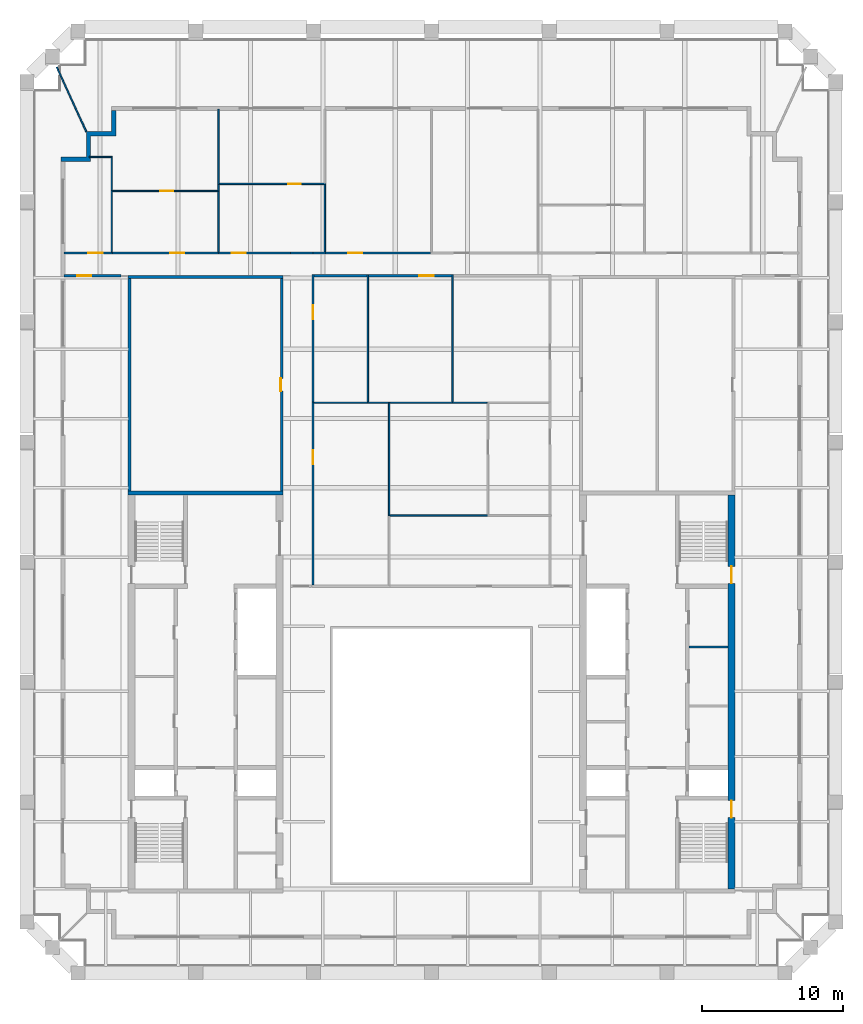
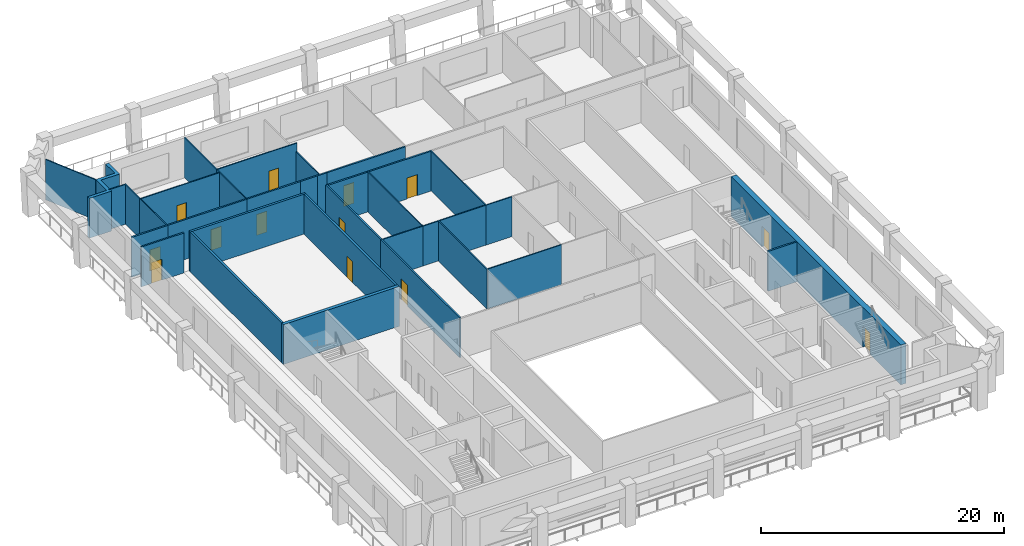
# One storey, part 5 of 8: 36 walls, 13 doors, 13 openings.
"""IFC4 building model written with IfcOpenShell, lengths in metres."""

from ifc_helpers import new_model, si_unit, direction, frame, frame_2d, origin, place, context, subcontext, project, spatial, polyline, rectangle, outline, extrude, material, layer, layer_set, type_object, element, fill, save


model = new_model("IFC4")

# Units and contexts
model_context = context("Model", 3, precision=1e-05, world=origin(), true_north=direction((0.0, 1.0)))
body_context = subcontext(model_context, "Body", "Model", "MODEL_VIEW")
ifc_project = project(units=[si_unit("LENGTHUNIT", "METRE"), si_unit("AREAUNIT", "SQUARE_METRE"), si_unit("VOLUMEUNIT", "CUBIC_METRE"), si_unit("PLANEANGLEUNIT", "RADIAN"), si_unit("MASSUNIT", "GRAM", prefix="KILO")], contexts=[model_context])

# Site, building, storey
site_placement = place(None, origin())
site = spatial("IfcSite", under=ifc_project, at=site_placement, CompositionType="ELEMENT")
building_placement = place(site_placement, origin())
building = spatial("IfcBuilding", under=site, at=building_placement, Name="Ogive Exchange Tower", CompositionType="ELEMENT")
storey_placement = place(building_placement, frame((0.0, 0.0, 334.199951171875)))
storey = spatial("IfcBuildingStorey", under=building, at=storey_placement, Name="L73", CompositionType="ELEMENT", Elevation=334.199951171875)

# Wall
ifc_material_1 = material(Name="Gypsum board partition")
ifc_layer_1 = layer(ifc_material_1, 0.14990234375)
ifc_layer_set_1 = layer_set([ifc_layer_1], Name="Core room partition 150 gypsum")
wall_type_1 = type_object("IfcWallType", Name="Core room partition 150 gypsum", PredefinedType="PARTITIONING", material=ifc_layer_set_1)
wall_1_placement = place(storey_placement, frame((18.25, 14.699951171875, 0.0), z_axis=(0.0, 0.0, 1.0), x_axis=(1.0, 0.0, 0.0)))
element("IfcWall", 1, at=wall_1_placement, inside=storey, type_object=wall_type_1, Name="E row A bay partition 1-2", PredefinedType="PARTITIONING", context=body_context, shape_type="SweptSolid", body=[
    extrude(rectangle(XDim=2.75, YDim=0.14990234375, at=frame_2d((1.375, 0.0))), origin(), (0.0, 0.0, 1.0), 4.0),
])

# Wall, opening, door
ifc_material_2 = material(Name="Fire partition EI 60 150")
ifc_layer_2 = layer(ifc_material_2, 0.14990234375)
ifc_layer_set_2 = layer_set([ifc_layer_2], Name="Fire partition EI 60 150")
wall_type_2 = type_object("IfcWallType", Name="Fire partition EI 60 150", PredefinedType="PARTITIONING", material=ifc_layer_set_2)
wall_2_placement = place(storey_placement, frame((-26.050048828125, 42.60009765625, 0.0), z_axis=(0.0, 0.0, 1.0), x_axis=(1.0, 0.0, 0.0)))
wall_2 = element("IfcWall", 2, at=wall_2_placement, inside=storey, type_object=wall_type_2, Name="L73-PWL-001", PredefinedType="PARTITIONING", context=body_context, shape_type="SweptSolid", body=[
    extrude(rectangle(XDim=3.449951171875, YDim=0.14990234375, at=frame_2d((1.72509765625, 0.0))), origin(), (0.0, 0.0, 1.0), 4.0),
])
opening_1_placement = place(wall_2_placement, frame((1.75, 0.0, 0.0)))
opening_1 = element("IfcOpeningElement", 3, at=opening_1_placement, cuts=wall_2, Name="Opening L73-I11", PredefinedType="OPENING", context=body_context, shape_type="SweptSolid", body=[
    extrude(rectangle(XDim=1.0, YDim=2.10009765625, at=frame_2d((0.5, 1.050048828125))), frame((0.0, 0.0849609375, 0.0), z_axis=(0.0, -1.0, 0.0), x_axis=(1.0, 0.0, 0.0)), (0.0, 0.0, 1.0), 0.169921875),
])
ifc_material_3 = material(Name="Fire door FD 30S 1000 x 2100")
door_type_1 = type_object("IfcDoorType", Name="Fire door FD 30S 1000 x 2100", OperationType="NOTDEFINED", PredefinedType="DOOR", material=ifc_material_3)
door_1_placement = place(opening_1_placement, origin())
door_1 = element("IfcDoor", 4, at=door_1_placement, inside=storey, type_object=door_type_1, Name="L73-IDR-011", ObjectType="DT3", OperationType="SINGLE_SWING_LEFT", OverallHeight=2.10009765625, OverallWidth=1.0, PredefinedType="DOOR", context=body_context, shape_type="SweptSolid", body=[
    extrude(rectangle(XDim=1.0, YDim=2.10009765625, at=frame_2d((0.5, 1.050048828125))), frame((0.0, 0.02490234375, 0.0), z_axis=(0.0, -1.0, 0.0), x_axis=(1.0, 0.0, 0.0)), (0.0, 0.0, 1.0), 0.050048828125),
])
fill(opening_1, door_1)

wall_3_placement = place(storey_placement, frame((-22.64990234375, 42.60009765625, 0.0), z_axis=(0.0, 0.0, 1.0), x_axis=(1.0, 0.0, 0.0)))
wall_3 = element("IfcWall", 5, at=wall_3_placement, inside=storey, type_object=wall_type_2, Name="L73-PWL-004", PredefinedType="PARTITIONING", context=body_context, shape_type="SweptSolid", body=[
    extrude(rectangle(XDim=7.599853515625, YDim=0.14990234375, at=frame_2d((3.7998046875, 0.0))), origin(), (0.0, 0.0, 1.0), 4.0),
])
opening_2_placement = place(wall_3_placement, frame((4.14990234375, 0.0, 0.0)))
opening_2 = element("IfcOpeningElement", 6, at=opening_2_placement, cuts=wall_3, Name="Opening L73-I10", PredefinedType="OPENING", context=body_context, shape_type="SweptSolid", body=[
    extrude(rectangle(XDim=1.0, YDim=2.10009765625, at=frame_2d((0.5, 1.050048828125))), frame((0.0, 0.0849609375, 0.0), z_axis=(0.0, -1.0, 0.0), x_axis=(1.0, 0.0, 0.0)), (0.0, 0.0, 1.0), 0.169921875),
])
door_2_placement = place(opening_2_placement, origin())
door_2 = element("IfcDoor", 7, at=door_2_placement, inside=storey, type_object=door_type_1, Name="L73-IDR-010", ObjectType="DT3", OperationType="SINGLE_SWING_LEFT", OverallHeight=2.10009765625, OverallWidth=1.0, PredefinedType="DOOR", context=body_context, shape_type="SweptSolid", body=[
    extrude(rectangle(XDim=1.0, YDim=2.10009765625, at=frame_2d((0.5, 1.050048828125))), frame((0.0, 0.02490234375, 0.0), z_axis=(0.0, -1.0, 0.0), x_axis=(1.0, 0.0, 0.0)), (0.0, 0.0, 1.0), 0.050048828125),
])
fill(opening_2, door_2)

wall_4_placement = place(storey_placement, frame((-22.0, 41.0, 0.0), z_axis=(0.0, 0.0, 1.0), x_axis=(-1.0, 0.0, 0.0)))
wall_4 = element("IfcWall", 8, at=wall_4_placement, inside=storey, type_object=wall_type_2, Name="L73-PWL-007", PredefinedType="PARTITIONING", context=body_context, shape_type="SweptSolid", body=[
    extrude(rectangle(XDim=4.050048828125, YDim=0.14990234375, at=frame_2d((2.02490234375, 0.0))), origin(), (0.0, 0.0, 1.0), 4.0),
])
opening_3_placement = place(wall_4_placement, frame((2.10009765625, 0.0, 0.0)))
opening_3 = element("IfcOpeningElement", 9, at=opening_3_placement, cuts=wall_4, Name="Opening L73-I19", PredefinedType="OPENING", context=body_context, shape_type="SweptSolid", body=[
    extrude(rectangle(XDim=1.0, YDim=2.10009765625, at=frame_2d((0.5, 1.050048828125))), frame((0.0, 0.0849609375, 0.0), z_axis=(0.0, -1.0, 0.0), x_axis=(1.0, 0.0, 0.0)), (0.0, 0.0, 1.0), 0.169921875),
])
door_3_placement = place(opening_3_placement, origin())
door_3 = element("IfcDoor", 10, at=door_3_placement, inside=storey, type_object=door_type_1, Name="L73-IDR-019", ObjectType="DT3", OperationType="SINGLE_SWING_LEFT", OverallHeight=2.10009765625, OverallWidth=1.0, PredefinedType="DOOR", context=body_context, shape_type="SweptSolid", body=[
    extrude(rectangle(XDim=1.0, YDim=2.10009765625, at=frame_2d((0.5, 1.050048828125))), frame((0.0, 0.02490234375, 0.0), z_axis=(0.0, -1.0, 0.0), x_axis=(1.0, 0.0, 0.0)), (0.0, 0.0, 1.0), 0.050048828125),
])
fill(opening_3, door_3)

wall_5_placement = place(storey_placement, frame((-15.10009765625, 42.60009765625, 0.0), z_axis=(0.0, 0.0, 1.0), x_axis=(1.0, 0.0, 0.0)))
wall_5 = element("IfcWall", 11, at=wall_5_placement, inside=storey, type_object=wall_type_2, Name="L73-PWL-009", PredefinedType="PARTITIONING", context=body_context, shape_type="SweptSolid", body=[
    extrude(rectangle(XDim=5.10009765625, YDim=0.14990234375, at=frame_2d((2.550048828125, 0.0))), origin(), (0.0, 0.0, 1.0), 4.0),
])
opening_4_placement = place(wall_5_placement, frame((0.949951171875, 0.0, 0.0)))
opening_4 = element("IfcOpeningElement", 12, at=opening_4_placement, cuts=wall_5, Name="Opening L73-I07", PredefinedType="OPENING", context=body_context, shape_type="SweptSolid", body=[
    extrude(rectangle(XDim=1.0, YDim=2.10009765625, at=frame_2d((0.5, 1.050048828125))), frame((0.0, 0.0849609375, 0.0), z_axis=(0.0, -1.0, 0.0), x_axis=(1.0, 0.0, 0.0)), (0.0, 0.0, 1.0), 0.169921875),
])
door_4_placement = place(opening_4_placement, origin())
door_4 = element("IfcDoor", 13, at=door_4_placement, inside=storey, type_object=door_type_1, Name="L73-IDR-007", ObjectType="DT3", OperationType="SINGLE_SWING_RIGHT", OverallHeight=2.10009765625, OverallWidth=1.0, PredefinedType="DOOR", context=body_context, shape_type="SweptSolid", body=[
    extrude(rectangle(XDim=1.0, YDim=2.10009765625, at=frame_2d((0.5, 1.050048828125))), frame((0.0, 0.02490234375, 0.0), z_axis=(0.0, -1.0, 0.0), x_axis=(1.0, 0.0, 0.0)), (0.0, 0.0, 1.0), 0.050048828125),
])
fill(opening_4, door_4)

# Wall
wall_6_placement = place(storey_placement, frame((-10.0, 42.60009765625, 0.0), z_axis=(0.0, 0.0, 1.0), x_axis=(1.0, 0.0, 0.0)))
element("IfcWall", 14, at=wall_6_placement, inside=storey, type_object=wall_type_2, Name="L73-PWL-014", PredefinedType="PARTITIONING", context=body_context, shape_type="SweptSolid", body=[
    extrude(rectangle(XDim=1.60009765625, YDim=0.14990234375, at=frame_2d((0.800048828125, 0.0))), origin(), (0.0, 0.0, 1.0), 4.0),
])

# Wall, opening, door
wall_7_placement = place(storey_placement, frame((-8.39990234375, 32.050048828125, 0.0), z_axis=(0.0, 0.0, 1.0), x_axis=(0.0, -1.0, 0.0)))
wall_7 = element("IfcWall", 15, at=wall_7_placement, inside=storey, type_object=wall_type_2, Name="L73-PWL-016", PredefinedType="PARTITIONING", context=body_context, shape_type="SweptSolid", body=[
    extrude(rectangle(XDim=12.97509765625, YDim=0.14990234375, at=frame_2d((6.487548828125, 0.0))), origin(), (0.0, 0.0, 1.0), 4.0),
])
opening_5_placement = place(wall_7_placement, frame((3.39990234375, 0.0, 0.0)))
opening_5 = element("IfcOpeningElement", 16, at=opening_5_placement, cuts=wall_7, Name="Opening L73-I18", PredefinedType="OPENING", context=body_context, shape_type="SweptSolid", body=[
    extrude(rectangle(XDim=1.0, YDim=2.10009765625, at=frame_2d((0.5, 1.050048828125))), frame((0.0, 0.0849609375, 0.0), z_axis=(0.0, -1.0, 0.0), x_axis=(1.0, 0.0, 0.0)), (0.0, 0.0, 1.0), 0.169921875),
])
door_5_placement = place(opening_5_placement, origin())
door_5 = element("IfcDoor", 17, at=door_5_placement, inside=storey, type_object=door_type_1, Name="L73-IDR-018", ObjectType="DT3", OperationType="SINGLE_SWING_RIGHT", OverallHeight=2.10009765625, OverallWidth=1.0, PredefinedType="DOOR", context=body_context, shape_type="SweptSolid", body=[
    extrude(rectangle(XDim=1.0, YDim=2.10009765625, at=frame_2d((0.5, 1.050048828125))), frame((0.0, 0.02490234375, 0.0), z_axis=(0.0, -1.0, 0.0), x_axis=(1.0, 0.0, 0.0)), (0.0, 0.0, 1.0), 0.050048828125),
])
fill(opening_5, door_5)

wall_8_placement = place(storey_placement, frame((-8.39990234375, 41.074951171875, 0.0), z_axis=(0.0, 0.0, 1.0), x_axis=(0.0, -1.0, 0.0)))
wall_8 = element("IfcWall", 18, at=wall_8_placement, inside=storey, type_object=wall_type_2, Name="L73-PWL-017", PredefinedType="PARTITIONING", context=body_context, shape_type="SweptSolid", body=[
    extrude(rectangle(XDim=9.02490234375, YDim=0.14990234375, at=frame_2d((4.512451171875, 0.0))), origin(), (0.0, 0.0, 1.0), 4.0),
])
opening_6_placement = place(wall_8_placement, frame((2.175048828125, 0.0, 0.0)))
opening_6 = element("IfcOpeningElement", 19, at=opening_6_placement, cuts=wall_8, Name="Opening L73-I14", PredefinedType="OPENING", context=body_context, shape_type="SweptSolid", body=[
    extrude(rectangle(XDim=1.0, YDim=2.10009765625, at=frame_2d((0.5, 1.050048828125))), frame((0.0, 0.0849609375, 0.0), z_axis=(0.0, -1.0, 0.0), x_axis=(1.0, 0.0, 0.0)), (0.0, 0.0, 1.0), 0.169921875),
])
door_6_placement = place(opening_6_placement, origin())
door_6 = element("IfcDoor", 20, at=door_6_placement, inside=storey, type_object=door_type_1, Name="L73-IDR-014", ObjectType="DT3", OperationType="SINGLE_SWING_RIGHT", OverallHeight=2.10009765625, OverallWidth=1.0, PredefinedType="DOOR", context=body_context, shape_type="SweptSolid", body=[
    extrude(rectangle(XDim=1.0, YDim=2.10009765625, at=frame_2d((0.5, 1.050048828125))), frame((0.0, 0.02490234375, 0.0), z_axis=(0.0, -1.0, 0.0), x_axis=(1.0, 0.0, 0.0)), (0.0, 0.0, 1.0), 0.050048828125),
])
fill(opening_6, door_6)

# Wall
wall_9_placement = place(storey_placement, frame((-8.39990234375, 42.60009765625, 0.0), z_axis=(0.0, 0.0, 1.0), x_axis=(1.0, 0.0, 0.0)))
element("IfcWall", 21, at=wall_9_placement, inside=storey, type_object=wall_type_2, Name="L73-PWL-018", PredefinedType="PARTITIONING", context=body_context, shape_type="SweptSolid", body=[
    extrude(rectangle(XDim=0.89990234375, YDim=0.14990234375, at=frame_2d((0.449951171875, 0.0))), origin(), (0.0, 0.0, 1.0), 4.0),
])

# Wall, opening, door
wall_10_placement = place(storey_placement, frame((-7.550048828125, 42.60009765625, 0.0), z_axis=(0.0, 0.0, 1.0), x_axis=(1.0, 0.0, 0.0)))
wall_10 = element("IfcWall", 22, at=wall_10_placement, inside=storey, type_object=wall_type_2, Name="L73-PWL-020", PredefinedType="PARTITIONING", context=body_context, shape_type="SweptSolid", body=[
    extrude(rectangle(XDim=7.5, YDim=0.14990234375, at=frame_2d((3.75, 0.0))), origin(), (0.0, 0.0, 1.0), 4.0),
])
opening_7_placement = place(wall_10_placement, frame((1.64990234375, 0.0, 0.0)))
opening_7 = element("IfcOpeningElement", 23, at=opening_7_placement, cuts=wall_10, Name="Opening L73-I01", PredefinedType="OPENING", context=body_context, shape_type="SweptSolid", body=[
    extrude(rectangle(XDim=1.0, YDim=2.10009765625, at=frame_2d((0.5, 1.050048828125))), frame((0.0, 0.0849609375, 0.0), z_axis=(0.0, -1.0, 0.0), x_axis=(1.0, 0.0, 0.0)), (0.0, 0.0, 1.0), 0.169921875),
])
door_7_placement = place(opening_7_placement, origin())
door_7 = element("IfcDoor", 24, at=door_7_placement, inside=storey, type_object=door_type_1, Name="L73-IDR-001", ObjectType="DT3", OperationType="SINGLE_SWING_RIGHT", OverallHeight=2.10009765625, OverallWidth=1.0, PredefinedType="DOOR", context=body_context, shape_type="SweptSolid", body=[
    extrude(rectangle(XDim=1.0, YDim=2.10009765625, at=frame_2d((0.5, 1.050048828125))), frame((0.0, 0.02490234375, 0.0), z_axis=(0.0, -1.0, 0.0), x_axis=(1.0, 0.0, 0.0)), (0.0, 0.0, 1.0), 0.050048828125),
])
fill(opening_7, door_7)

# Wall
wall_11_placement = place(storey_placement, frame((-4.550048828125, 41.0, 0.0), z_axis=(0.0, 0.0, 1.0), x_axis=(-1.0, 0.0, 0.0)))
element("IfcWall", 25, at=wall_11_placement, inside=storey, type_object=wall_type_2, Name="L73-PWL-024", PredefinedType="PARTITIONING", context=body_context, shape_type="SweptSolid", body=[
    extrude(rectangle(XDim=3.77490234375, YDim=0.14990234375, at=frame_2d((1.887451171875, 0.0))), origin(), (0.0, 0.0, 1.0), 4.0),
])

# Wall, opening, door
wall_12_placement = place(storey_placement, frame((1.449951171875, 41.0, 0.0), z_axis=(0.0, 0.0, 1.0), x_axis=(-1.0, 0.0, 0.0)))
wall_12 = element("IfcWall", 26, at=wall_12_placement, inside=storey, type_object=wall_type_2, Name="L73-PWL-034", PredefinedType="PARTITIONING", context=body_context, shape_type="SweptSolid", body=[
    extrude(rectangle(XDim=5.89990234375, YDim=0.14990234375, at=frame_2d((2.949951171875, 0.0))), origin(), (0.0, 0.0, 1.0), 4.0),
])
opening_8_placement = place(wall_12_placement, frame((1.300048828125, 0.0, 0.0)))
opening_8 = element("IfcOpeningElement", 27, at=opening_8_placement, cuts=wall_12, Name="Opening L73-I13", PredefinedType="OPENING", context=body_context, shape_type="SweptSolid", body=[
    extrude(rectangle(XDim=1.0, YDim=2.10009765625, at=frame_2d((0.5, 1.050048828125))), frame((0.0, 0.0849609375, 0.0), z_axis=(0.0, -1.0, 0.0), x_axis=(1.0, 0.0, 0.0)), (0.0, 0.0, 1.0), 0.169921875),
])
door_8_placement = place(opening_8_placement, origin())
door_8 = element("IfcDoor", 28, at=door_8_placement, inside=storey, type_object=door_type_1, Name="L73-IDR-013", ObjectType="DT3", OperationType="SINGLE_SWING_RIGHT", OverallHeight=2.10009765625, OverallWidth=1.0, PredefinedType="DOOR", context=body_context, shape_type="SweptSolid", body=[
    extrude(rectangle(XDim=1.0, YDim=2.10009765625, at=frame_2d((0.5, 1.050048828125))), frame((0.0, 0.02490234375, 0.0), z_axis=(0.0, -1.0, 0.0), x_axis=(1.0, 0.0, 0.0)), (0.0, 0.0, 1.0), 0.050048828125),
])
fill(opening_8, door_8)

# Walls
ifc_material_4 = material(Name="Precast concrete C40/50", Category="concrete")
ifc_layer_3 = layer(ifc_material_4, 0.300048828125)
ifc_layer_set_3 = layer_set([ifc_layer_3], Name="Limestone-faced wall 300")
wall_type_3 = type_object("IfcWallType", Name="Limestone-faced wall 300", PredefinedType="STANDARD", material=ifc_layer_set_3)
wall_13_placement = place(storey_placement, origin())
element("IfcWall", 29, at=wall_13_placement, inside=storey, type_object=wall_type_3, Name="External corner wall C3", PredefinedType="STANDARD", context=body_context, shape_type="SweptSolid", body=[
    extrude(outline(polyline([(-24.449951171875, 49.39990234375), (-24.449951171875, 51.199951171875), (-22.64990234375, 51.199951171875), (-22.64990234375, 52.699951171875), (-22.35009765625, 52.699951171875), (-22.35009765625, 50.89990234375), (-24.14990234375, 50.89990234375), (-24.14990234375, 49.10009765625), (-26.25, 49.10009765625), (-26.25, 49.39990234375), (-24.449951171875, 49.39990234375)])), origin(), (0.0, 0.0, 1.0), 4.0),
])
ifc_material_5 = material(Name="Laminated safety glass in steel frame", Category="steel")
ifc_layer_4 = layer(ifc_material_5, 0.10009765625)
ifc_layer_set_4 = layer_set([ifc_layer_4], Name="Loggia end screen 100")
wall_type_4 = type_object("IfcWallType", Name="Loggia end screen 100", PredefinedType="STANDARD", material=ifc_layer_set_4)
wall_14_placement = place(storey_placement, frame((-24.449951171875, 51.199951171875, -0.050048828125), z_axis=(0.0, 0.0, 1.0), x_axis=(-0.41666974254, 0.909057933056, 0.0)))
element("IfcWall", 30, at=wall_14_placement, inside=storey, type_object=wall_type_4, Name="Loggia end screen C3", PredefinedType="STANDARD", context=body_context, shape_type="SweptSolid", body=[
    extrude(rectangle(XDim=5.033203125, YDim=0.10009765625, at=frame_2d((2.5166015625, 0.0))), origin(), (0.0, 0.0, 1.0), 4.050048828125),
])
ifc_material_6 = material(Name="Partition 100 gypsum")
ifc_layer_5 = layer(ifc_material_6, 0.10009765625)
ifc_layer_set_5 = layer_set([ifc_layer_5], Name="Partition 100 gypsum")
wall_type_5 = type_object("IfcWallType", Name="Partition 100 gypsum", PredefinedType="PARTITIONING", material=ifc_layer_set_5)
wall_15_placement = place(storey_placement, frame((-22.64990234375, 42.675048828125, 0.0), z_axis=(0.0, 0.0, 1.0), x_axis=(0.0, 1.0, 0.0)))
element("IfcWall", 31, at=wall_15_placement, inside=storey, type_object=wall_type_5, Name="L73-PWL-003", PredefinedType="PARTITIONING", context=body_context, shape_type="SweptSolid", body=[
    extrude(rectangle(XDim=4.375, YDim=0.10009765625, at=frame_2d((2.1875, 0.0))), origin(), (0.0, 0.0, 1.0), 4.0),
])
wall_16_placement = place(storey_placement, frame((-22.64990234375, 47.050048828125, 0.0), z_axis=(0.0, 0.0, 1.0), x_axis=(0.0, 1.0, 0.0)))
element("IfcWall", 32, at=wall_16_placement, inside=storey, type_object=wall_type_5, Name="L73-PWL-005", PredefinedType="PARTITIONING", context=body_context, shape_type="SweptSolid", body=[
    extrude(rectangle(XDim=2.409912109375, YDim=0.10009765625, at=frame_2d((1.205078125, 0.0))), origin(), (0.0, 0.0, 1.0), 4.0),
])
wall_17_placement = place(storey_placement, frame((-22.699951171875, 49.409912109375, 0.0), z_axis=(0.0, 0.0, 1.0), x_axis=(-1.0, 0.0, 0.0)))
element("IfcWall", 33, at=wall_17_placement, inside=storey, type_object=wall_type_5, Name="L73-PWL-006", PredefinedType="PARTITIONING", context=body_context, shape_type="SweptSolid", body=[
    extrude(rectangle(XDim=1.550048828125, YDim=0.10009765625, at=frame_2d((0.77490234375, 0.0))), origin(), (0.0, 0.0, 1.0), 4.0),
])
wall_18_placement = place(storey_placement, frame((-15.10009765625, 42.675048828125, 0.0), z_axis=(0.0, 0.0, 1.0), x_axis=(0.0, 1.0, 0.0)))
element("IfcWall", 34, at=wall_18_placement, inside=storey, type_object=wall_type_5, Name="L73-PWL-008", PredefinedType="PARTITIONING", context=body_context, shape_type="SweptSolid", body=[
    extrude(rectangle(XDim=4.375, YDim=0.10009765625, at=frame_2d((2.1875, 0.0))), origin(), (0.0, 0.0, 1.0), 4.0),
])

# Wall, opening, door
wall_19_placement = place(storey_placement, frame((-15.14990234375, 47.0, 0.0), z_axis=(0.0, 0.0, 1.0), x_axis=(-1.0, 0.0, 0.0)))
wall_19 = element("IfcWall", 35, at=wall_19_placement, inside=storey, type_object=wall_type_5, Name="L73-PWL-010", PredefinedType="PARTITIONING", context=body_context, shape_type="SweptSolid", body=[
    extrude(rectangle(XDim=7.4501953125, YDim=0.10009765625, at=frame_2d((3.72509765625, 0.0))), origin(), (0.0, 0.0, 1.0), 4.0),
])
opening_9_placement = place(wall_19_placement, frame((3.14990234375, 0.0, 0.0)))
opening_9 = element("IfcOpeningElement", 36, at=opening_9_placement, cuts=wall_19, Name="Opening L73-I09", PredefinedType="OPENING", context=body_context, shape_type="SweptSolid", body=[
    extrude(rectangle(XDim=0.89990234375, YDim=2.10009765625, at=frame_2d((0.449951171875, 1.050048828125))), frame((0.0, 0.06005859375, 0.0), z_axis=(0.0, -1.0, 0.0), x_axis=(1.0, 0.0, 0.0)), (0.0, 0.0, 1.0), 0.1201171875),
])
ifc_material_7 = material(Name="Door 900 x 2100")
door_type_2 = type_object("IfcDoorType", Name="Door 900 x 2100", OperationType="NOTDEFINED", PredefinedType="DOOR", material=ifc_material_7)
door_9_placement = place(opening_9_placement, origin())
door_9 = element("IfcDoor", 37, at=door_9_placement, inside=storey, type_object=door_type_2, Name="L73-IDR-009", ObjectType="DT1", OperationType="SINGLE_SWING_LEFT", OverallHeight=2.10009765625, OverallWidth=0.89990234375, PredefinedType="DOOR", context=body_context, shape_type="SweptSolid", body=[
    extrude(rectangle(XDim=0.89990234375, YDim=2.10009765625, at=frame_2d((0.449951171875, 1.050048828125))), frame((0.0, 0.02490234375, 0.0), z_axis=(0.0, -1.0, 0.0), x_axis=(1.0, 0.0, 0.0)), (0.0, 0.0, 1.0), 0.050048828125),
])
fill(opening_9, door_9)

# Walls
wall_20_placement = place(storey_placement, frame((-15.10009765625, 47.0, 0.0), z_axis=(0.0, 0.0, 1.0), x_axis=(0.0, 1.0, 0.0)))
element("IfcWall", 38, at=wall_20_placement, inside=storey, type_object=wall_type_5, Name="L73-PWL-011", PredefinedType="PARTITIONING", context=body_context, shape_type="SweptSolid", body=[
    extrude(rectangle(XDim=0.449951171875, YDim=0.10009765625, at=frame_2d((0.22509765625, 0.0))), origin(), (0.0, 0.0, 1.0), 4.0),
])
wall_21_placement = place(storey_placement, frame((-15.10009765625, 47.449951171875, 0.0), z_axis=(0.0, 0.0, 1.0), x_axis=(0.0, 1.0, 0.0)))
element("IfcWall", 39, at=wall_21_placement, inside=storey, type_object=wall_type_5, Name="L73-PWL-012", PredefinedType="PARTITIONING", context=body_context, shape_type="SweptSolid", body=[
    extrude(rectangle(XDim=5.35009765625, YDim=0.10009765625, at=frame_2d((2.675048828125, 0.0))), origin(), (0.0, 0.0, 1.0), 4.0),
])

# Wall, opening, door
wall_22_placement = place(storey_placement, frame((-15.050048828125, 47.5, 0.0), z_axis=(0.0, 0.0, 1.0), x_axis=(1.0, 0.0, 0.0)))
wall_22 = element("IfcWall", 40, at=wall_22_placement, inside=storey, type_object=wall_type_5, Name="L73-PWL-013", PredefinedType="PARTITIONING", context=body_context, shape_type="SweptSolid", body=[
    extrude(rectangle(XDim=7.550048828125, YDim=0.10009765625, at=frame_2d((3.77490234375, 0.0))), origin(), (0.0, 0.0, 1.0), 4.0),
])
opening_10_placement = place(wall_22_placement, frame((4.89990234375, 0.0, 0.0)))
opening_10 = element("IfcOpeningElement", 41, at=opening_10_placement, cuts=wall_22, Name="Opening L73-I08", PredefinedType="OPENING", context=body_context, shape_type="SweptSolid", body=[
    extrude(rectangle(XDim=0.89990234375, YDim=2.10009765625, at=frame_2d((0.449951171875, 1.050048828125))), frame((0.0, 0.06005859375, 0.0), z_axis=(0.0, -1.0, 0.0), x_axis=(1.0, 0.0, 0.0)), (0.0, 0.0, 1.0), 0.1201171875),
])
door_10_placement = place(opening_10_placement, frame((0.89990234375, 0.0, 0.0), z_axis=(0.0, 0.0, 1.0), x_axis=(-1.0, 0.0, 0.0)))
door_10 = element("IfcDoor", 42, at=door_10_placement, inside=storey, type_object=door_type_2, Name="L73-IDR-008", ObjectType="DT1", OperationType="SINGLE_SWING_RIGHT", OverallHeight=2.10009765625, OverallWidth=0.89990234375, PredefinedType="DOOR", context=body_context, shape_type="SweptSolid", body=[
    extrude(rectangle(XDim=0.89990234375, YDim=2.10009765625, at=frame_2d((0.449951171875, 1.050048828125))), frame((0.0, 0.02490234375, 0.0), z_axis=(0.0, -1.0, 0.0), x_axis=(1.0, 0.0, 0.0)), (0.0, 0.0, 1.0), 0.050048828125),
])
fill(opening_10, door_10)

# Walls
wall_23_placement = place(storey_placement, frame((-7.550048828125, 42.675048828125, 0.0), z_axis=(0.0, 0.0, 1.0), x_axis=(0.0, 1.0, 0.0)))
element("IfcWall", 43, at=wall_23_placement, inside=storey, type_object=wall_type_5, Name="L73-PWL-019", PredefinedType="PARTITIONING", context=body_context, shape_type="SweptSolid", body=[
    extrude(rectangle(XDim=4.77490234375, YDim=0.10009765625, at=frame_2d((2.387451171875, 0.0))), origin(), (0.0, 0.0, 1.0), 3.1640625),
])
wall_24_placement = place(storey_placement, frame((-4.449951171875, 32.0, 0.0), z_axis=(0.0, 0.0, 1.0), x_axis=(-1.0, 0.0, 0.0)))
element("IfcWall", 44, at=wall_24_placement, inside=storey, type_object=wall_type_5, Name="L73-PWL-022", PredefinedType="PARTITIONING", context=body_context, shape_type="SweptSolid", body=[
    extrude(rectangle(XDim=3.875, YDim=0.10009765625, at=frame_2d((1.9375, 0.0))), origin(), (0.0, 0.0, 1.0), 4.0),
])
wall_25_placement = place(storey_placement, frame((-4.5, 32.050048828125, 0.0), z_axis=(0.0, 0.0, 1.0), x_axis=(0.0, 1.0, 0.0)))
element("IfcWall", 45, at=wall_25_placement, inside=storey, type_object=wall_type_5, Name="L73-PWL-023", PredefinedType="PARTITIONING", context=body_context, shape_type="SweptSolid", body=[
    extrude(rectangle(XDim=9.02490234375, YDim=0.10009765625, at=frame_2d((4.512451171875, 0.0))), origin(), (0.0, 0.0, 1.0), 4.0),
])
wall_26_placement = place(storey_placement, frame((-3.0, 23.949951171875, 0.0), z_axis=(0.0, 0.0, 1.0), x_axis=(0.0, 1.0, 0.0)))
element("IfcWall", 46, at=wall_26_placement, inside=storey, type_object=wall_type_5, Name="L73-PWL-027", PredefinedType="PARTITIONING", context=body_context, shape_type="SweptSolid", body=[
    extrude(rectangle(XDim=8.10009765625, YDim=0.10009765625, at=frame_2d((4.050048828125, 0.0))), origin(), (0.0, 0.0, 1.0), 4.0),
])
wall_27_placement = place(storey_placement, frame((-2.949951171875, 24.0, 0.0), z_axis=(0.0, 0.0, 1.0), x_axis=(1.0, 0.0, 0.0)))
element("IfcWall", 47, at=wall_27_placement, inside=storey, type_object=wall_type_5, Name="L73-PWL-028", PredefinedType="PARTITIONING", context=body_context, shape_type="SweptSolid", body=[
    extrude(rectangle(XDim=7.0, YDim=0.10009765625, at=frame_2d((3.5, 0.0))), origin(), (0.0, 0.0, 1.0), 4.0),
])
wall_28_placement = place(storey_placement, frame((-3.050048828125, 32.0, 0.0), z_axis=(0.0, 0.0, 1.0), x_axis=(-1.0, 0.0, 0.0)))
element("IfcWall", 48, at=wall_28_placement, inside=storey, type_object=wall_type_5, Name="L73-PWL-029", PredefinedType="PARTITIONING", context=body_context, shape_type="SweptSolid", body=[
    extrude(rectangle(XDim=1.449951171875, YDim=0.10009765625, at=frame_2d((0.72509765625, 0.0))), origin(), (0.0, 0.0, 1.0), 4.0),
])
wall_29_placement = place(storey_placement, frame((1.550048828125, 32.0, 0.0), z_axis=(0.0, 0.0, 1.0), x_axis=(-1.0, 0.0, 0.0)))
element("IfcWall", 49, at=wall_29_placement, inside=storey, type_object=wall_type_5, Name="L73-PWL-032", PredefinedType="PARTITIONING", context=body_context, shape_type="SweptSolid", body=[
    extrude(rectangle(XDim=4.5, YDim=0.10009765625, at=frame_2d((2.25, 0.0))), origin(), (0.0, 0.0, 1.0), 4.0),
])
wall_30_placement = place(storey_placement, frame((1.5, 32.050048828125, 0.0), z_axis=(0.0, 0.0, 1.0), x_axis=(0.0, 1.0, 0.0)))
element("IfcWall", 50, at=wall_30_placement, inside=storey, type_object=wall_type_5, Name="L73-PWL-033", PredefinedType="PARTITIONING", context=body_context, shape_type="SweptSolid", body=[
    extrude(rectangle(XDim=9.02490234375, YDim=0.10009765625, at=frame_2d((4.512451171875, 0.0))), origin(), (0.0, 0.0, 1.0), 4.0),
])
wall_31_placement = place(storey_placement, frame((3.949951171875, 32.0, 0.0), z_axis=(0.0, 0.0, 1.0), x_axis=(-1.0, 0.0, 0.0)))
element("IfcWall", 51, at=wall_31_placement, inside=storey, type_object=wall_type_5, Name="L73-PWL-037", PredefinedType="PARTITIONING", context=body_context, shape_type="SweptSolid", body=[
    extrude(rectangle(XDim=2.449951171875, YDim=0.10009765625, at=frame_2d((1.22509765625, 0.0))), origin(), (0.0, 0.0, 1.0), 4.0),
])
ifc_material_8 = material(Name="Concrete C70/85", Category="concrete")
ifc_layer_6 = layer(ifc_material_8, 0.199951171875)
ifc_layer_set_6 = layer_set([ifc_layer_6], Name="RC core wall 200 C70/85")
wall_type_6 = type_object("IfcWallType", Name="RC core wall 200 C70/85", PredefinedType="SHEAR", material=ifc_layer_set_6)
wall_32_placement = place(storey_placement, frame((-21.39990234375, 25.75, 0.0), z_axis=(0.0, 0.0, 1.0), x_axis=(0.0, 1.0, 0.0)))
element("IfcWall", 52, at=wall_32_placement, inside=storey, type_object=wall_type_6, Name="W annex N outer wall", PredefinedType="SHEAR", context=body_context, shape_type="SweptSolid", body=[
    extrude(rectangle(XDim=15.050048828125, YDim=0.199951171875, at=frame_2d((7.52490234375, 0.0))), origin(), (0.0, 0.0, 1.0), 4.0),
])

# Wall, opening, door
wall_33_placement = place(storey_placement, frame((-10.60009765625, 25.75, 0.0), z_axis=(0.0, 0.0, 1.0), x_axis=(0.0, 1.0, 0.0)))
wall_33 = element("IfcWall", 53, at=wall_33_placement, inside=storey, type_object=wall_type_6, Name="W annex N inner wall", PredefinedType="SHEAR", context=body_context, shape_type="SweptSolid", body=[
    extrude(rectangle(XDim=15.050048828125, YDim=0.199951171875, at=frame_2d((7.52490234375, 0.0))), origin(), (0.0, 0.0, 1.0), 4.0),
])
opening_11_placement = place(wall_33_placement, frame((7.074951171875, 0.0, 0.0)))
opening_11 = element("IfcOpeningElement", 54, at=opening_11_placement, cuts=wall_33, Name="Opening L73-C17", PredefinedType="OPENING", context=body_context, shape_type="SweptSolid", body=[
    extrude(rectangle(XDim=0.89990234375, YDim=2.10009765625, at=frame_2d((0.449951171875, 1.050048828125))), frame((0.0, 0.10986328125, 0.0), z_axis=(0.0, -1.0, 0.0), x_axis=(1.0, 0.0, 0.0)), (0.0, 0.0, 1.0), 0.219970703125),
])
ifc_material_9 = material(Name="Timber fire door", Category="wood")
door_type_3 = type_object("IfcDoorType", Name="Core room door FD30S 900 x 2100", OperationType="NOTDEFINED", PredefinedType="DOOR", material=ifc_material_9)
door_11_placement = place(opening_11_placement, frame((0.89990234375, 0.14990234375, 0.0), z_axis=(0.0, 0.0, 1.0), x_axis=(-1.0, 0.0, 0.0)))
door_11 = element("IfcDoor", 55, at=door_11_placement, inside=storey, type_object=door_type_3, Name="Core room door", ObjectType="CD6", OperationType="SINGLE_SWING_RIGHT", OverallHeight=2.10009765625, OverallWidth=0.89990234375, PredefinedType="DOOR", context=body_context, shape_type="SweptSolid", body=[
    extrude(rectangle(XDim=0.89990234375, YDim=2.10009765625, at=frame_2d((0.449951171875, 1.050048828125))), frame((0.0, 0.10009765625, 0.0), z_axis=(0.0, -1.0, 0.0), x_axis=(1.0, 0.0, 0.0)), (0.0, 0.0, 1.0), 0.050048828125),
])
fill(opening_11, door_11)

# Walls
wall_34_placement = place(storey_placement, frame((-21.5, 40.89990234375, 0.0), z_axis=(0.0, 0.0, 1.0), x_axis=(1.0, 0.0, 0.0)))
element("IfcWall", 56, at=wall_34_placement, inside=storey, type_object=wall_type_6, Name="W annex N end wall", PredefinedType="SHEAR", context=body_context, shape_type="SweptSolid", body=[
    extrude(rectangle(XDim=11.0, YDim=0.199951171875, at=frame_2d((5.5, 0.0))), origin(), (0.0, 0.0, 1.0), 4.0),
])
ifc_layer_7 = layer(ifc_material_8, 0.300048828125)
ifc_layer_set_7 = layer_set([ifc_layer_7], Name="RC core wall 300 C70/85")
wall_type_7 = type_object("IfcWallType", Name="RC core wall 300 C70/85", PredefinedType="SHEAR", material=ifc_layer_set_7)
wall_35_placement = place(storey_placement, frame((-21.5, 25.60009765625, 0.0), z_axis=(0.0, 0.0, 1.0), x_axis=(1.0, 0.0, 0.0)))
element("IfcWall", 57, at=wall_35_placement, inside=storey, type_object=wall_type_7, Name="W north end wall", PredefinedType="SHEAR", context=body_context, shape_type="SweptSolid", body=[
    extrude(rectangle(XDim=11.0, YDim=0.300048828125, at=frame_2d((5.5, 0.0))), origin(), (0.0, 0.0, 1.0), 4.0),
])

# Wall, openings, doors
ifc_layer_8 = layer(ifc_material_8, 0.5)
ifc_layer_set_8 = layer_set([ifc_layer_8], Name="RC core wall 500 C70/85")
wall_type_8 = type_object("IfcWallType", Name="RC core wall 500 C70/85", PredefinedType="SHEAR", material=ifc_layer_set_8)
wall_36_placement = place(storey_placement, frame((21.25, -2.449951171875, 0.0), z_axis=(0.0, 0.0, 1.0), x_axis=(0.0, 1.0, 0.0)))
wall_36 = element("IfcWall", 58, at=wall_36_placement, inside=storey, type_object=wall_type_8, Name="E outer wall", PredefinedType="SHEAR", context=body_context, shape_type="SweptSolid", body=[
    extrude(rectangle(XDim=27.89990234375, YDim=0.5, at=frame_2d((13.949951171875, 0.0))), origin(), (0.0, 0.0, 1.0), 4.0),
])
opening_12_placement = place(wall_36_placement, frame((5.050048828125, 0.0, 0.0)))
opening_12 = element("IfcOpeningElement", 59, at=opening_12_placement, cuts=wall_36, Name="Opening L73-C31", PredefinedType="OPENING", context=body_context, shape_type="SweptSolid", body=[
    extrude(rectangle(XDim=1.199951171875, YDim=2.10009765625, at=frame_2d((0.60009765625, 1.050048828125))), frame((0.0, 0.260009765625, 0.0), z_axis=(0.0, -1.0, 0.0), x_axis=(1.0, 0.0, 0.0)), (0.0, 0.0, 1.0), 0.52001953125),
])
opening_13_placement = place(wall_36_placement, frame((21.64990234375, 0.0, 0.0)))
opening_13 = element("IfcOpeningElement", 60, at=opening_13_placement, cuts=wall_36, Name="Opening L73-C33", PredefinedType="OPENING", context=body_context, shape_type="SweptSolid", body=[
    extrude(rectangle(XDim=1.199951171875, YDim=2.10009765625, at=frame_2d((0.60009765625, 1.050048828125))), frame((0.0, 0.260009765625, 0.0), z_axis=(0.0, -1.0, 0.0), x_axis=(1.0, 0.0, 0.0)), (0.0, 0.0, 1.0), 0.52001953125),
])
ifc_material_10 = material(Name="Steel fire door", Category="steel")
door_type_4 = type_object("IfcDoorType", Name="Stair door FD90 1200 x 2100", OperationType="NOTDEFINED", PredefinedType="DOOR", material=ifc_material_10)
door_12_placement = place(opening_12_placement, frame((1.199951171875, 0.0, 0.0), z_axis=(0.0, 0.0, 1.0), x_axis=(-1.0, 0.0, 0.0)))
door_12 = element("IfcDoor", 61, at=door_12_placement, inside=storey, type_object=door_type_4, Name="Stair door", ObjectType="CD5", OperationType="SINGLE_SWING_LEFT", OverallHeight=2.10009765625, OverallWidth=1.199951171875, PredefinedType="DOOR", context=body_context, shape_type="SweptSolid", body=[
    extrude(rectangle(XDim=1.199951171875, YDim=2.10009765625, at=frame_2d((0.60009765625, 1.050048828125))), frame((0.0, 0.02490234375, 0.0), z_axis=(0.0, -1.0, 0.0), x_axis=(1.0, 0.0, 0.0)), (0.0, 0.0, 1.0), 0.050048828125),
])
fill(opening_12, door_12)
door_13_placement = place(opening_13_placement, frame((1.199951171875, 0.0, 0.0), z_axis=(0.0, 0.0, 1.0), x_axis=(-1.0, 0.0, 0.0)))
door_13 = element("IfcDoor", 62, at=door_13_placement, inside=storey, type_object=door_type_4, Name="Stair door", ObjectType="CD5", OperationType="SINGLE_SWING_LEFT", OverallHeight=2.10009765625, OverallWidth=1.199951171875, PredefinedType="DOOR", context=body_context, shape_type="SweptSolid", body=[
    extrude(rectangle(XDim=1.199951171875, YDim=2.10009765625, at=frame_2d((0.60009765625, 1.050048828125))), frame((0.0, 0.02490234375, 0.0), z_axis=(0.0, -1.0, 0.0), x_axis=(1.0, 0.0, 0.0)), (0.0, 0.0, 1.0), 0.050048828125),
])
fill(opening_13, door_13)

save(model, "model.ifc")
